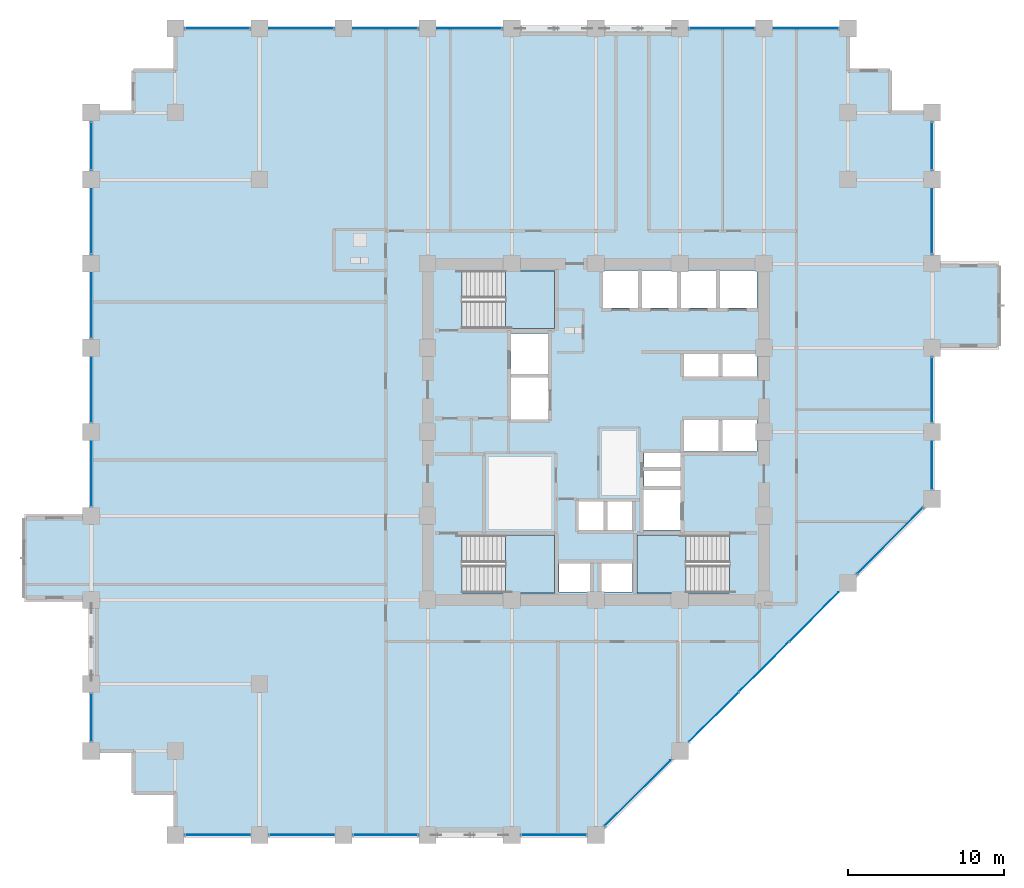
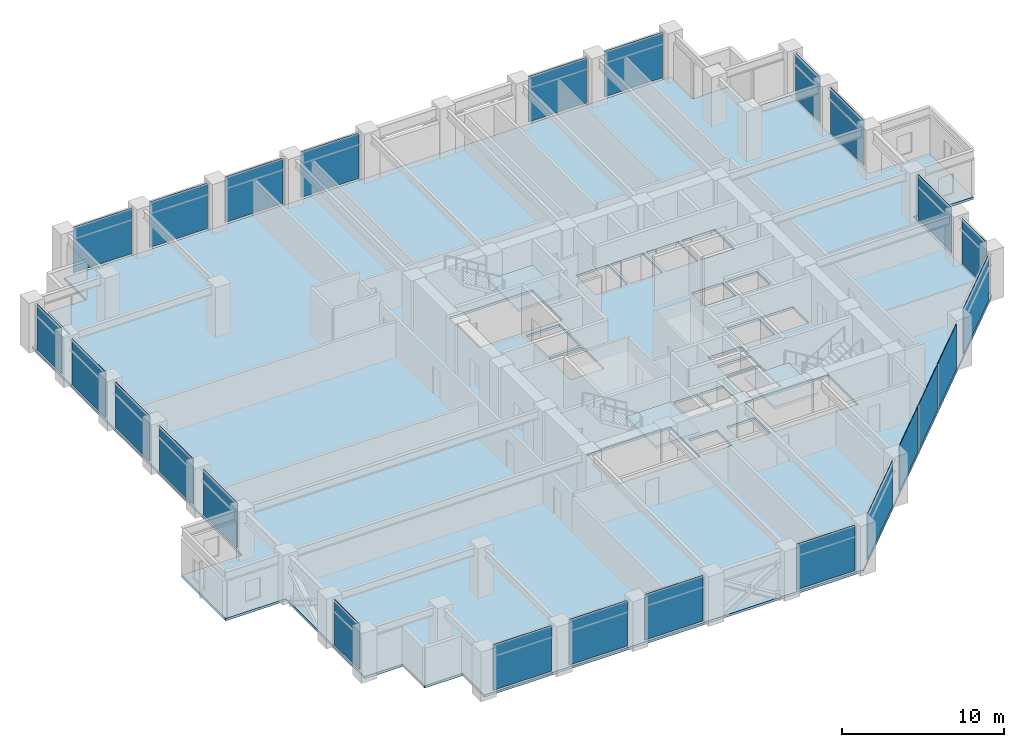
# One storey, part 20 of 29: 25 plates, 4 slabs, 12 elements without a shape of their own.
"""IFC4 building model written with IfcOpenShell, lengths in metres."""

from ifc_helpers import new_model, si_unit, direction, frame, frame_2d, origin, place, context, subcontext, project, spatial, polyline, rectangle, outline, extrude, material, layer, layer_set, type_object, element, aggregate, save


model = new_model("IFC4")

# Units and contexts
model_context = context("Model", 3, precision=1e-05, world=origin(), true_north=direction((0.0, 1.0)))
body_context = subcontext(model_context, "Body", "Model", "MODEL_VIEW")
ifc_project = project(units=[si_unit("LENGTHUNIT", "METRE"), si_unit("AREAUNIT", "SQUARE_METRE"), si_unit("VOLUMEUNIT", "CUBIC_METRE"), si_unit("PLANEANGLEUNIT", "RADIAN"), si_unit("MASSUNIT", "GRAM", prefix="KILO")], contexts=[model_context])

# Site, building, storey
site_placement = place(None, origin())
site = spatial("IfcSite", under=ifc_project, at=site_placement, CompositionType="ELEMENT")
building_placement = place(site_placement, origin())
building = spatial("IfcBuilding", under=site, at=building_placement, Name="Surkhivell Harbour Commons", CompositionType="ELEMENT")
storey_placement = place(building_placement, frame((0.0, 0.0, 90.75)))
storey = spatial("IfcBuildingStorey", under=building, at=storey_placement, Name="L23", CompositionType="ELEMENT", Elevation=90.75)

# Curtain wall, plates
ifc_material_1 = material(Name="Anodised pale-metal aluminium and insulated glazing", Category="aluminium")
ifc_layer_1 = layer(ifc_material_1, 0.205078125)
ifc_layer_set_1 = layer_set([ifc_layer_1], Name="Anodised pale-metal aluminium and insulated glazing")
curtain_wall_type = type_object("IfcCurtainWallType", Name="CW-SYS-Z2", PredefinedType="NOTDEFINED", material=ifc_layer_set_1)
curtain_wall_1_placement = place(storey_placement, origin())
curtain_wall_1 = element("IfcCurtainWall", 1, at=curtain_wall_1_placement, inside=storey, type_object=curtain_wall_type, Name="L23 Curtain Wall CW-L23-E00S1", PredefinedType="NOTDEFINED")
ifc_material_2 = material(Name="High-pressure typhoon laminated vision glass", Category="glass")
ifc_layer_2 = layer(ifc_material_2, 0.035888671875)
ifc_layer_set_2 = layer_set([ifc_layer_2], Name="High-pressure typhoon laminated vision glass")
plate_type = type_object("IfcPlateType", Name="CWP-GLZ-36", PredefinedType="CURTAIN_PANEL", material=ifc_layer_set_2)
plate_1_placement = place(storey_placement, frame((-26.373046875, -25.89990234375, 0.14990234375), z_axis=(0.0, 0.0, 1.0), x_axis=(1.0, 0.0, 0.0)))
plate_1 = element("IfcPlate", 2, at=plate_1_placement, type_object=plate_type, Name="CW-Z2 panel 1.1", PredefinedType="CURTAIN_PANEL", context=body_context, shape_type="SweptSolid", body=[
    extrude(rectangle(XDim=4.14599609375, YDim=0.035888671875, at=frame_2d((2.072998046875, 0.0))), origin(), (0.0, 0.0, 1.0), 3.420166015625),
])
plate_2_placement = place(storey_placement, frame((-20.972900390625, -25.89990234375, 0.14990234375), z_axis=(0.0, 0.0, 1.0), x_axis=(1.0, 0.0, 0.0)))
plate_2 = element("IfcPlate", 3, at=plate_2_placement, type_object=plate_type, Name="CW-Z2 panel 2.1", PredefinedType="CURTAIN_PANEL", context=body_context, shape_type="SweptSolid", body=[
    extrude(rectangle(XDim=4.14599609375, YDim=0.035888671875, at=frame_2d((2.072998046875, 0.0))), origin(), (0.0, 0.0, 1.0), 3.420166015625),
])
plate_3_placement = place(storey_placement, frame((-15.572998046875, -25.89990234375, 0.14990234375), z_axis=(0.0, 0.0, 1.0), x_axis=(1.0, 0.0, 0.0)))
plate_3 = element("IfcPlate", 4, at=plate_3_placement, type_object=plate_type, Name="CW-Z2 panel 3.1", PredefinedType="CURTAIN_PANEL", context=body_context, shape_type="SweptSolid", body=[
    extrude(rectangle(XDim=4.14599609375, YDim=0.035888671875, at=frame_2d((2.072998046875, 0.0))), origin(), (0.0, 0.0, 1.0), 3.420166015625),
])
aggregate(curtain_wall_1, [plate_1, plate_2, plate_3])

# Curtain wall, plate
curtain_wall_2_placement = place(storey_placement, origin())
curtain_wall_2 = element("IfcCurtainWall", 5, at=curtain_wall_2_placement, inside=storey, type_object=curtain_wall_type, Name="L23 Curtain Wall CW-L23-E00S2", PredefinedType="NOTDEFINED")
plate_4_placement = place(storey_placement, frame((-4.77294921875, -25.89990234375, 0.14990234375), z_axis=(0.0, 0.0, 1.0), x_axis=(1.0, 0.0, 0.0)))
plate_4 = element("IfcPlate", 6, at=plate_4_placement, type_object=plate_type, Name="CW-Z2 panel 1.1", PredefinedType="CURTAIN_PANEL", context=body_context, shape_type="SweptSolid", body=[
    extrude(rectangle(XDim=4.14599609375, YDim=0.035888671875, at=frame_2d((2.072998046875, 0.0))), origin(), (0.0, 0.0, 1.0), 3.420166015625),
])
aggregate(curtain_wall_2, [plate_4])

# Curtain wall, plates
curtain_wall_3_placement = place(storey_placement, origin())
curtain_wall_3 = element("IfcCurtainWall", 7, at=curtain_wall_3_placement, inside=storey, type_object=curtain_wall_type, Name="L23 Curtain Wall CW-L23-E01", PredefinedType="NOTDEFINED")
plate_5_placement = place(storey_placement, frame((0.604736328125, -25.295166015625, 0.14990234375), z_axis=(0.0, 0.0, 1.0), x_axis=(0.707106781187, 0.707106781187, 0.0)))
plate_5 = element("IfcPlate", 8, at=plate_5_placement, type_object=plate_type, Name="CW-Z2 panel 1.1", PredefinedType="CURTAIN_PANEL", context=body_context, shape_type="SweptSolid", body=[
    extrude(rectangle(XDim=5.92626953125, YDim=0.035888671875, at=frame_2d((2.963134765625, 0.0))), origin(), (0.0, 0.0, 1.0), 3.420166015625),
])
plate_6_placement = place(storey_placement, frame((6.004638671875, -19.895263671875, 0.14990234375), z_axis=(0.0, 0.0, 1.0), x_axis=(0.707134159244, 0.707079402069, 0.0)))
plate_6 = element("IfcPlate", 9, at=plate_6_placement, type_object=plate_type, Name="CW-Z2 panel 2.1", PredefinedType="CURTAIN_PANEL", context=body_context, shape_type="SweptSolid", body=[
    extrude(rectangle(XDim=4.45849609375, YDim=0.035888671875, at=frame_2d((2.229248046875, 0.0))), origin(), (0.0, 0.0, 1.0), 3.420166015625),
])
plate_7_placement = place(storey_placement, frame((9.21044921875, -16.689697265625, 0.14990234375), z_axis=(0.0, 0.0, 1.0), x_axis=(0.707106781187, 0.707106781187, 0.0)))
plate_7 = element("IfcPlate", 10, at=plate_7_placement, type_object=plate_type, Name="CW-Z2 panel 3.1", PredefinedType="CURTAIN_PANEL", context=body_context, shape_type="SweptSolid", body=[
    extrude(rectangle(XDim=4.49609375, YDim=0.035888671875, at=frame_2d((2.248046875, 0.0))), origin(), (0.0, 0.0, 1.0), 3.420166015625),
])
plate_8_placement = place(storey_placement, frame((12.442626953125, -13.457275390625, 0.14990234375), z_axis=(0.0, 0.0, 1.0), x_axis=(0.707106781187, 0.707106781187, 0.0)))
plate_8 = element("IfcPlate", 11, at=plate_8_placement, type_object=plate_type, Name="CW-Z2 panel 4.1", PredefinedType="CURTAIN_PANEL", context=body_context, shape_type="SweptSolid", body=[
    extrude(rectangle(XDim=4.45849609375, YDim=0.035888671875, at=frame_2d((2.229248046875, 0.0))), origin(), (0.0, 0.0, 1.0), 3.420166015625),
])
plate_9_placement = place(storey_placement, frame((16.8046875, -9.09521484375, 0.14990234375), z_axis=(0.0, 0.0, 1.0), x_axis=(0.707127378829, 0.707086182944, 0.0)))
plate_9 = element("IfcPlate", 12, at=plate_9_placement, type_object=plate_type, Name="CW-Z2 panel 5.1", PredefinedType="CURTAIN_PANEL", context=body_context, shape_type="SweptSolid", body=[
    extrude(rectangle(XDim=5.92626953125, YDim=0.035888671875, at=frame_2d((2.963134765625, 0.0))), origin(), (0.0, 0.0, 1.0), 3.420166015625),
])
aggregate(curtain_wall_3, [plate_5, plate_6, plate_7, plate_8, plate_9])

curtain_wall_4_placement = place(storey_placement, origin())
curtain_wall_4 = element("IfcCurtainWall", 13, at=curtain_wall_4_placement, inside=storey, type_object=curtain_wall_type, Name="L23 Curtain Wall CW-L23-E02R1", PredefinedType="NOTDEFINED")
plate_10_placement = place(storey_placement, frame((21.60009765625, -3.673095703125, 0.14990234375), z_axis=(0.0, 0.0, 1.0), x_axis=(0.0, 1.0, 0.0)))
plate_10 = element("IfcPlate", 14, at=plate_10_placement, type_object=plate_type, Name="CW-Z2 panel 1.1", PredefinedType="CURTAIN_PANEL", context=body_context, shape_type="SweptSolid", body=[
    extrude(rectangle(XDim=3.046142578125, YDim=0.035888671875, at=frame_2d((1.52294921875, 0.0))), origin(), (0.0, 0.0, 1.0), 3.420166015625),
])
plate_11_placement = place(storey_placement, frame((21.60009765625, 0.626953125, 0.14990234375), z_axis=(0.0, 0.0, 1.0), x_axis=(0.0, 1.0, 0.0)))
plate_11 = element("IfcPlate", 15, at=plate_11_placement, type_object=plate_type, Name="CW-Z2 panel 2.1", PredefinedType="CURTAIN_PANEL", context=body_context, shape_type="SweptSolid", body=[
    extrude(rectangle(XDim=4.14599609375, YDim=0.035888671875, at=frame_2d((2.072998046875, 0.0))), origin(), (0.0, 0.0, 1.0), 3.420166015625),
])
aggregate(curtain_wall_4, [plate_10, plate_11])

curtain_wall_5_placement = place(storey_placement, origin())
curtain_wall_5 = element("IfcCurtainWall", 16, at=curtain_wall_5_placement, inside=storey, type_object=curtain_wall_type, Name="L23 Curtain Wall CW-L23-E02R2", PredefinedType="NOTDEFINED")
plate_12_placement = place(storey_placement, frame((21.60009765625, 11.427001953125, 0.14990234375), z_axis=(0.0, 0.0, 1.0), x_axis=(0.0, 1.0, 0.0)))
plate_12 = element("IfcPlate", 17, at=plate_12_placement, type_object=plate_type, Name="CW-Z2 panel 1.1", PredefinedType="CURTAIN_PANEL", context=body_context, shape_type="SweptSolid", body=[
    extrude(rectangle(XDim=4.14599609375, YDim=0.035888671875, at=frame_2d((2.072998046875, 0.0))), origin(), (0.0, 0.0, 1.0), 3.420166015625),
])
plate_13_placement = place(storey_placement, frame((21.60009765625, 16.826904296875, 0.14990234375), z_axis=(0.0, 0.0, 1.0), x_axis=(0.0, 1.0, 0.0)))
plate_13 = element("IfcPlate", 18, at=plate_13_placement, type_object=plate_type, Name="CW-Z2 panel 2.1", PredefinedType="CURTAIN_PANEL", context=body_context, shape_type="SweptSolid", body=[
    extrude(rectangle(XDim=3.046142578125, YDim=0.035888671875, at=frame_2d((1.52294921875, 0.0))), origin(), (0.0, 0.0, 1.0), 3.420166015625),
])
aggregate(curtain_wall_5, [plate_12, plate_13])

curtain_wall_6_placement = place(storey_placement, origin())
curtain_wall_6 = element("IfcCurtainWall", 19, at=curtain_wall_6_placement, inside=storey, type_object=curtain_wall_type, Name="L23 Curtain Wall CW-L23-E07S1", PredefinedType="NOTDEFINED")
plate_14_placement = place(storey_placement, frame((15.572998046875, 25.89990234375, 0.14990234375), z_axis=(0.0, 0.0, 1.0), x_axis=(-1.0, 0.0, 0.0)))
plate_14 = element("IfcPlate", 20, at=plate_14_placement, type_object=plate_type, Name="CW-Z2 panel 1.1", PredefinedType="CURTAIN_PANEL", context=body_context, shape_type="SweptSolid", body=[
    extrude(rectangle(XDim=4.14599609375, YDim=0.035888671875, at=frame_2d((2.072998046875, 0.0))), origin(), (0.0, 0.0, 1.0), 3.420166015625),
])
plate_15_placement = place(storey_placement, frame((10.173095703125, 25.89990234375, 0.14990234375), z_axis=(0.0, 0.0, 1.0), x_axis=(-1.0, 0.0, 0.0)))
plate_15 = element("IfcPlate", 21, at=plate_15_placement, type_object=plate_type, Name="CW-Z2 panel 2.1", PredefinedType="CURTAIN_PANEL", context=body_context, shape_type="SweptSolid", body=[
    extrude(rectangle(XDim=4.14599609375, YDim=0.035888671875, at=frame_2d((2.072998046875, 0.0))), origin(), (0.0, 0.0, 1.0), 3.420166015625),
])
aggregate(curtain_wall_6, [plate_14, plate_15])

curtain_wall_7_placement = place(storey_placement, origin())
curtain_wall_7 = element("IfcCurtainWall", 22, at=curtain_wall_7_placement, inside=storey, type_object=curtain_wall_type, Name="L23 Curtain Wall CW-L23-E07S2", PredefinedType="NOTDEFINED")
plate_16_placement = place(storey_placement, frame((-6.027099609375, 25.89990234375, 0.14990234375), z_axis=(0.0, 0.0, 1.0), x_axis=(-1.0, 0.0, 0.0)))
plate_16 = element("IfcPlate", 23, at=plate_16_placement, type_object=plate_type, Name="CW-Z2 panel 1.1", PredefinedType="CURTAIN_PANEL", context=body_context, shape_type="SweptSolid", body=[
    extrude(rectangle(XDim=4.14599609375, YDim=0.035888671875, at=frame_2d((2.072998046875, 0.0))), origin(), (0.0, 0.0, 1.0), 3.420166015625),
])
plate_17_placement = place(storey_placement, frame((-11.427001953125, 25.89990234375, 0.14990234375), z_axis=(0.0, 0.0, 1.0), x_axis=(-1.0, 0.0, 0.0)))
plate_17 = element("IfcPlate", 24, at=plate_17_placement, type_object=plate_type, Name="CW-Z2 panel 2.1", PredefinedType="CURTAIN_PANEL", context=body_context, shape_type="SweptSolid", body=[
    extrude(rectangle(XDim=4.14599609375, YDim=0.035888671875, at=frame_2d((2.072998046875, 0.0))), origin(), (0.0, 0.0, 1.0), 3.420166015625),
])
plate_18_placement = place(storey_placement, frame((-16.826904296875, 25.89990234375, 0.14990234375), z_axis=(0.0, 0.0, 1.0), x_axis=(-1.0, 0.0, 0.0)))
plate_18 = element("IfcPlate", 25, at=plate_18_placement, type_object=plate_type, Name="CW-Z2 panel 3.1", PredefinedType="CURTAIN_PANEL", context=body_context, shape_type="SweptSolid", body=[
    extrude(rectangle(XDim=4.14599609375, YDim=0.035888671875, at=frame_2d((2.072998046875, 0.0))), origin(), (0.0, 0.0, 1.0), 3.420166015625),
])
plate_19_placement = place(storey_placement, frame((-22.22705078125, 25.89990234375, 0.14990234375), z_axis=(0.0, 0.0, 1.0), x_axis=(-1.0, 0.0, 0.0)))
plate_19 = element("IfcPlate", 26, at=plate_19_placement, type_object=plate_type, Name="CW-Z2 panel 4.1", PredefinedType="CURTAIN_PANEL", context=body_context, shape_type="SweptSolid", body=[
    extrude(rectangle(XDim=4.14599609375, YDim=0.035888671875, at=frame_2d((2.072998046875, 0.0))), origin(), (0.0, 0.0, 1.0), 3.420166015625),
])
aggregate(curtain_wall_7, [plate_16, plate_17, plate_18, plate_19])

# Curtain wall, plate
curtain_wall_8_placement = place(storey_placement, origin())
curtain_wall_8 = element("IfcCurtainWall", 27, at=curtain_wall_8_placement, inside=storey, type_object=curtain_wall_type, Name="L23 Curtain Wall CW-L23-E12R1S1", PredefinedType="NOTDEFINED")
plate_20_placement = place(storey_placement, frame((-32.39990234375, -19.873046875, 0.14990234375), z_axis=(0.0, 0.0, 1.0), x_axis=(0.0, 1.0, 0.0)))
plate_20 = element("IfcPlate", 28, at=plate_20_placement, type_object=plate_type, Name="CW-Z2 panel 1.1", PredefinedType="CURTAIN_PANEL", context=body_context, shape_type="SweptSolid", body=[
    extrude(rectangle(XDim=3.046142578125, YDim=0.035888671875, at=frame_2d((1.52294921875, 0.0))), origin(), (0.0, 0.0, 1.0), 3.420166015625),
])
aggregate(curtain_wall_8, [plate_20])

# Curtain wall, plates
curtain_wall_9_placement = place(storey_placement, origin())
curtain_wall_9 = element("IfcCurtainWall", 29, at=curtain_wall_9_placement, inside=storey, type_object=curtain_wall_type, Name="L23 Curtain Wall CW-L23-E12R2", PredefinedType="NOTDEFINED")
plate_21_placement = place(storey_placement, frame((-32.39990234375, -4.77294921875, 0.14990234375), z_axis=(0.0, 0.0, 1.0), x_axis=(0.0, 1.0, 0.0)))
plate_21 = element("IfcPlate", 30, at=plate_21_placement, type_object=plate_type, Name="CW-Z2 panel 1.1", PredefinedType="CURTAIN_PANEL", context=body_context, shape_type="SweptSolid", body=[
    extrude(rectangle(XDim=4.14599609375, YDim=0.035888671875, at=frame_2d((2.072998046875, 0.0))), origin(), (0.0, 0.0, 1.0), 3.420166015625),
])
plate_22_placement = place(storey_placement, frame((-32.39990234375, 0.626953125, 0.14990234375), z_axis=(0.0, 0.0, 1.0), x_axis=(0.0, 1.0, 0.0)))
plate_22 = element("IfcPlate", 31, at=plate_22_placement, type_object=plate_type, Name="CW-Z2 panel 2.1", PredefinedType="CURTAIN_PANEL", context=body_context, shape_type="SweptSolid", body=[
    extrude(rectangle(XDim=4.14599609375, YDim=0.035888671875, at=frame_2d((2.072998046875, 0.0))), origin(), (0.0, 0.0, 1.0), 3.420166015625),
])
plate_23_placement = place(storey_placement, frame((-32.39990234375, 6.027099609375, 0.14990234375), z_axis=(0.0, 0.0, 1.0), x_axis=(0.0, 1.0, 0.0)))
plate_23 = element("IfcPlate", 32, at=plate_23_placement, type_object=plate_type, Name="CW-Z2 panel 3.1", PredefinedType="CURTAIN_PANEL", context=body_context, shape_type="SweptSolid", body=[
    extrude(rectangle(XDim=4.14599609375, YDim=0.035888671875, at=frame_2d((2.072998046875, 0.0))), origin(), (0.0, 0.0, 1.0), 3.420166015625),
])
plate_24_placement = place(storey_placement, frame((-32.39990234375, 11.427001953125, 0.14990234375), z_axis=(0.0, 0.0, 1.0), x_axis=(0.0, 1.0, 0.0)))
plate_24 = element("IfcPlate", 33, at=plate_24_placement, type_object=plate_type, Name="CW-Z2 panel 4.1", PredefinedType="CURTAIN_PANEL", context=body_context, shape_type="SweptSolid", body=[
    extrude(rectangle(XDim=4.14599609375, YDim=0.035888671875, at=frame_2d((2.072998046875, 0.0))), origin(), (0.0, 0.0, 1.0), 3.420166015625),
])
plate_25_placement = place(storey_placement, frame((-32.39990234375, 16.826904296875, 0.14990234375), z_axis=(0.0, 0.0, 1.0), x_axis=(0.0, 1.0, 0.0)))
plate_25 = element("IfcPlate", 34, at=plate_25_placement, type_object=plate_type, Name="CW-Z2 panel 5.1", PredefinedType="CURTAIN_PANEL", context=body_context, shape_type="SweptSolid", body=[
    extrude(rectangle(XDim=3.046142578125, YDim=0.035888671875, at=frame_2d((1.52294921875, 0.0))), origin(), (0.0, 0.0, 1.0), 3.420166015625),
])
aggregate(curtain_wall_9, [plate_21, plate_22, plate_23, plate_24, plate_25])

# Stair, slab
ifc_material_3 = material(Name="Precast concrete C45/55", Category="concrete")
stair_type = type_object("IfcStairType", Name="STR-DL-375", PredefinedType="HALF_TURN_STAIR", material=ifc_material_3)
stair_1_placement = place(storey_placement, origin())
stair_1 = element("IfcStair", 35, at=stair_1_placement, inside=storey, type_object=stair_type, Name="L23 Core Exit Stair ST1", PredefinedType="HALF_TURN_STAIR")
ifc_material_4 = material(Name="Reinforced concrete C45/55", Category="concrete")
ifc_layer_3 = layer(ifc_material_4, 0.199951171875)
ifc_layer_set_3 = layer_set([ifc_layer_3], Name="Reinforced concrete C45/55")
slab_type_1 = type_object("IfcSlabType", Name="SLB-ST-LND200", PredefinedType="LANDING", material=ifc_layer_set_3)
slab_1_placement = place(storey_placement, frame((0.0, 0.0, 1.675048828125)))
slab_1 = element("IfcSlab", 36, at=slab_1_placement, type_object=slab_type_1, Name="ST1 landing 1", PredefinedType="LANDING", context=body_context, shape_type="SweptSolid", body=[
    extrude(outline(polyline([(-5.7900390625, 6.639892578125), (-2.639892578125, 6.639892578125), (-2.639892578125, 10.340087890625), (-5.7900390625, 10.340087890625), (-5.7900390625, 6.639892578125)])), origin(), (0.0, 0.0, 1.0), 0.199951171875),
])
aggregate(stair_1, [slab_1])

stair_2_placement = place(storey_placement, origin())
stair_2 = element("IfcStair", 37, at=stair_2_placement, inside=storey, type_object=stair_type, Name="L23 Core Exit Stair ST2", PredefinedType="HALF_TURN_STAIR")
slab_2_placement = place(storey_placement, frame((0.0, 0.0, 1.675048828125)))
slab_2 = element("IfcSlab", 38, at=slab_2_placement, type_object=slab_type_1, Name="ST2 landing 1", PredefinedType="LANDING", context=body_context, shape_type="SweptSolid", body=[
    extrude(outline(polyline([(5.7900390625, -6.639892578125), (2.639892578125, -6.639892578125), (2.639892578125, -10.340087890625), (5.7900390625, -10.340087890625), (5.7900390625, -6.639892578125)])), origin(), (0.0, 0.0, 1.0), 0.199951171875),
])
aggregate(stair_2, [slab_2])

stair_3_placement = place(storey_placement, origin())
stair_3 = element("IfcStair", 39, at=stair_3_placement, inside=storey, type_object=stair_type, Name="L23 Core Exit Stair ST3", PredefinedType="HALF_TURN_STAIR")
slab_3_placement = place(storey_placement, frame((0.0, 0.0, 1.675048828125)))
slab_3 = element("IfcSlab", 40, at=slab_3_placement, type_object=slab_type_1, Name="ST3 landing 1", PredefinedType="LANDING", context=body_context, shape_type="SweptSolid", body=[
    extrude(outline(polyline([(-5.7900390625, -10.340087890625), (-2.639892578125, -10.340087890625), (-2.639892578125, -6.639892578125), (-5.7900390625, -6.639892578125), (-5.7900390625, -10.340087890625)])), origin(), (0.0, 0.0, 1.0), 0.199951171875),
])
aggregate(stair_3, [slab_3])

# Slab
ifc_material_5 = material(Name="Concrete C45/55", Category="concrete")
ifc_layer_4 = layer(ifc_material_5, 0.179931640625)
ifc_layer_set_4 = layer_set([ifc_layer_4], Name="Concrete C45/55")
slab_type_2 = type_object("IfcSlabType", Name="SLB-TYP-180", PredefinedType="FLOOR", material=ifc_layer_set_4)
slab_4_placement = place(storey_placement, frame((0.0, 0.0, -0.179931640625)))
element("IfcSlab", 41, at=slab_4_placement, inside=storey, type_object=slab_type_2, Name="L23 Structural Floor Slab", PredefinedType="FLOOR", context=body_context, shape_type="SweptSolid", body=[
    extrude(outline(polyline([(-32.39990234375, 20.5), (-32.39990234375, -5.39990234375), (-36.699951171875, -5.39990234375), (-36.699951171875, -10.800048828125), (-32.39990234375, -10.800048828125), (-32.39990234375, -20.5), (-29.699951171875, -20.5), (-29.699951171875, -23.199951171875), (-27.0, -23.199951171875), (-27.0, -25.89990234375), (0.0, -25.89990234375), (21.60009765625, -4.300048828125), (21.60009765625, 5.39990234375), (25.89990234375, 5.39990234375), (25.89990234375, 10.800048828125), (21.60009765625, 10.800048828125), (21.60009765625, 20.5), (18.89990234375, 20.5), (18.89990234375, 23.199951171875), (16.199951171875, 23.199951171875), (16.199951171875, 25.89990234375), (-27.0, 25.89990234375), (-27.0, 23.199951171875), (-29.699951171875, 23.199951171875), (-29.699951171875, 20.5), (-32.39990234375, 20.5)]), holes=[polyline([(-8.590087890625, 6.639892578125), (-2.639892578125, 6.639892578125), (-2.639892578125, 10.340087890625), (-8.590087890625, 10.340087890625), (-8.590087890625, 6.639892578125)]), polyline([(8.590087890625, -6.639892578125), (2.639892578125, -6.639892578125), (2.639892578125, -10.340087890625), (8.590087890625, -10.340087890625), (8.590087890625, -6.639892578125)]), polyline([(-8.590087890625, -10.340087890625), (-2.639892578125, -10.340087890625), (-2.639892578125, -6.639892578125), (-8.590087890625, -6.639892578125), (-8.590087890625, -10.340087890625)]), polyline([(0.449951171875, 7.949951171875), (2.75, 7.949951171875), (2.75, 10.35009765625), (0.449951171875, 10.35009765625), (0.449951171875, 7.949951171875)]), polyline([(2.949951171875, 7.949951171875), (5.25, 7.949951171875), (5.25, 10.35009765625), (2.949951171875, 10.35009765625), (2.949951171875, 7.949951171875)]), polyline([(5.449951171875, 7.949951171875), (7.75, 7.949951171875), (7.75, 10.35009765625), (5.449951171875, 10.35009765625), (5.449951171875, 7.949951171875)]), polyline([(7.949951171875, 7.949951171875), (10.35009765625, 7.949951171875), (10.35009765625, 10.35009765625), (7.949951171875, 10.35009765625), (7.949951171875, 7.949951171875)]), polyline([(5.64990234375, 3.550048828125), (7.89990234375, 3.550048828125), (7.89990234375, 5.14990234375), (5.64990234375, 5.14990234375), (5.64990234375, 3.550048828125)]), polyline([(8.10009765625, 3.550048828125), (10.35009765625, 3.550048828125), (10.35009765625, 5.14990234375), (8.10009765625, 5.14990234375), (8.10009765625, 3.550048828125)]), polyline([(5.64990234375, -1.25), (7.89990234375, -1.25), (7.89990234375, 0.75), (5.64990234375, 0.75), (5.64990234375, -1.25)]), polyline([(8.10009765625, -1.25), (10.35009765625, -1.25), (10.35009765625, 0.75), (8.10009765625, 0.75), (8.10009765625, -1.25)]), polyline([(-1.14990234375, -6.35009765625), (0.550048828125, -6.35009765625), (0.550048828125, -4.449951171875), (-1.14990234375, -4.449951171875), (-1.14990234375, -6.35009765625)]), polyline([(0.679931640625, -6.35009765625), (2.3798828125, -6.35009765625), (2.3798828125, -4.449951171875), (0.679931640625, -4.449951171875), (0.679931640625, -6.35009765625)]), polyline([(-2.35009765625, -10.300048828125), (-0.35009765625, -10.300048828125), (-0.35009765625, -8.39990234375), (-2.35009765625, -8.39990234375), (-2.35009765625, -10.300048828125)]), polyline([(0.35009765625, -10.300048828125), (2.35009765625, -10.300048828125), (2.35009765625, -8.39990234375), (0.35009765625, -8.39990234375), (0.35009765625, -10.300048828125)]), polyline([(-5.449951171875, 3.699951171875), (-3.050048828125, 3.699951171875), (-3.050048828125, 6.300048828125), (-5.449951171875, 6.300048828125), (-5.449951171875, 3.699951171875)]), polyline([(3.050048828125, -6.300048828125), (5.449951171875, -6.300048828125), (5.449951171875, -3.699951171875), (3.050048828125, -3.699951171875), (3.050048828125, -6.300048828125)]), polyline([(-5.449951171875, 0.800048828125), (-3.050048828125, 0.800048828125), (-3.050048828125, 3.5), (-5.449951171875, 3.5), (-5.449951171875, 0.800048828125)]), polyline([(3.10009765625, -3.550048828125), (5.449951171875, -3.550048828125), (5.449951171875, -2.47998046875), (3.10009765625, -2.47998046875), (3.10009765625, -3.550048828125)]), polyline([(3.10009765625, -2.280029296875), (5.449951171875, -2.280029296875), (5.449951171875, -1.35009765625), (3.10009765625, -1.35009765625), (3.10009765625, -2.280029296875)])]), origin(), (0.0, 0.0, 1.0), 0.179931640625),
])

save(model, "model.ifc")
